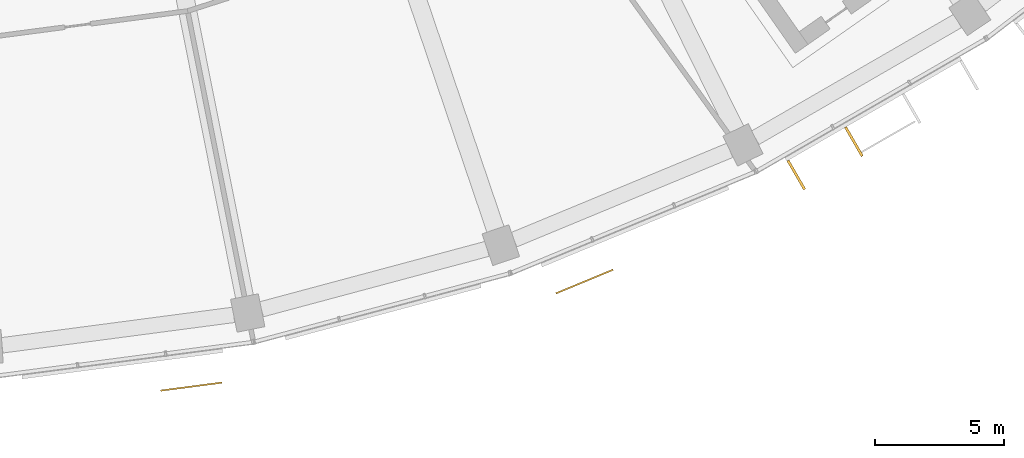
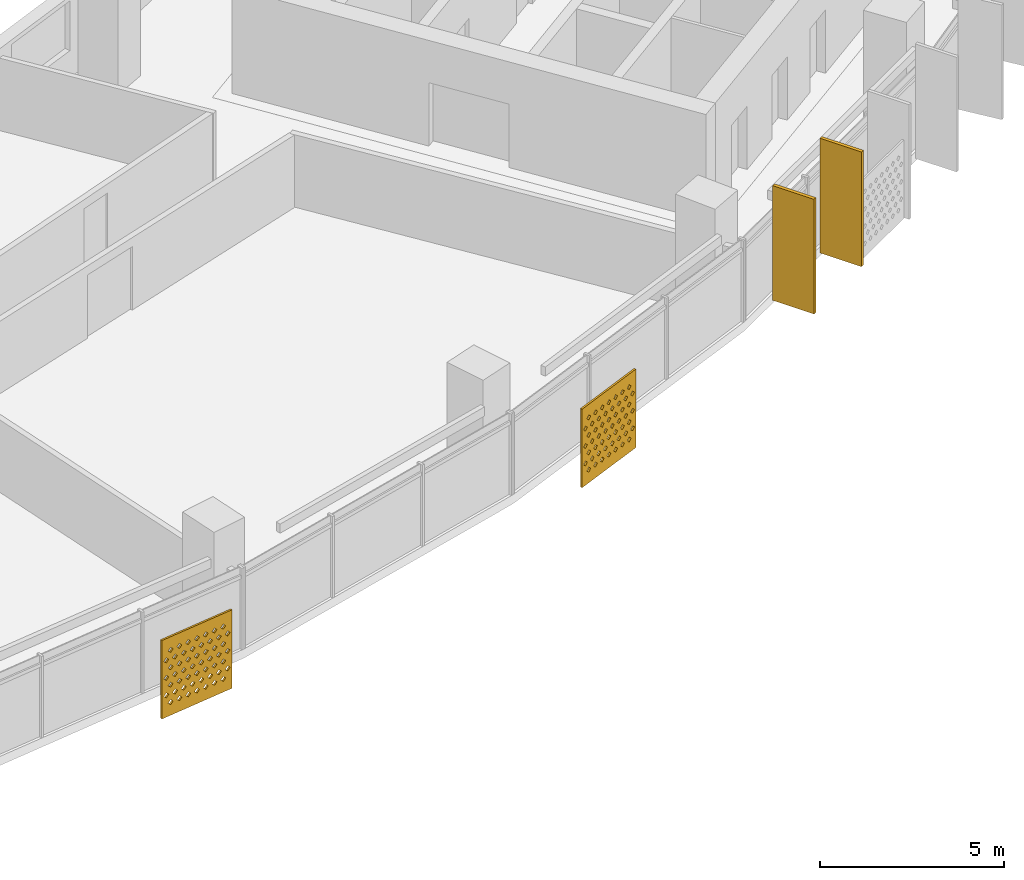
# One storey, part 24 of 26: 4 shading devices.
"""IFC4 building model written with IfcOpenShell, lengths in metres."""

from ifc_helpers import new_model, si_unit, direction, frame, origin, origin_2d, place, context, subcontext, project, spatial, polyline, rectangle, outline, extrude, material, material_profile, profile_set, type_object, element, save


model = new_model("IFC4")

# Units and contexts
model_context = context("Model", 3, precision=1e-05, world=origin(), true_north=direction((0.0, 1.0)))
body_context = subcontext(model_context, "Body", "Model", "MODEL_VIEW")
ifc_project = project(units=[si_unit("LENGTHUNIT", "METRE"), si_unit("AREAUNIT", "SQUARE_METRE"), si_unit("VOLUMEUNIT", "CUBIC_METRE"), si_unit("PLANEANGLEUNIT", "RADIAN"), si_unit("MASSUNIT", "GRAM", prefix="KILO")], contexts=[model_context])

# Site, building, storey
site_placement = place(None, origin())
site = spatial("IfcSite", under=ifc_project, at=site_placement, CompositionType="ELEMENT")
building_placement = place(site_placement, origin())
building = spatial("IfcBuilding", under=site, at=building_placement, Name="Qamariyya Broadcast Tower", CompositionType="ELEMENT")
storey_placement = place(building_placement, frame((0.0, 0.0, 168.300048828125)))
storey = spatial("IfcBuildingStorey", under=building, at=storey_placement, Name="L39", CompositionType="ELEMENT", Elevation=168.300048828125)

# Shading devices
ifc_material_1 = material(Name="Perforated glazed terracotta", Category="masonry")
ifc_material_profile_1 = material_profile(ifc_material_1, outline(polyline([(-1.199951171875, -1.300048828125), (1.199951171875, -1.300048828125), (1.199951171875, 1.300048828125), (-1.199951171875, 1.300048828125), (-1.199951171875, -1.300048828125)]), holes=[polyline([(-0.81494140625, -0.86669921875), (-0.89990234375, -0.78173828125), (-0.985107421875, -0.86669921875), (-0.89990234375, -0.95166015625), (-0.81494140625, -0.86669921875)]), polyline([(-0.514892578125, -0.86669921875), (-0.60009765625, -0.78173828125), (-0.68505859375, -0.86669921875), (-0.60009765625, -0.95166015625), (-0.514892578125, -0.86669921875)]), polyline([(-0.215087890625, -0.86669921875), (-0.300048828125, -0.78173828125), (-0.385009765625, -0.86669921875), (-0.300048828125, -0.95166015625), (-0.215087890625, -0.86669921875)]), polyline([(0.0849609375, -0.86669921875), (0.0, -0.78173828125), (-0.0849609375, -0.86669921875), (0.0, -0.95166015625), (0.0849609375, -0.86669921875)]), polyline([(0.385009765625, -0.86669921875), (0.300048828125, -0.78173828125), (0.215087890625, -0.86669921875), (0.300048828125, -0.95166015625), (0.385009765625, -0.86669921875)]), polyline([(0.68505859375, -0.86669921875), (0.60009765625, -0.78173828125), (0.514892578125, -0.86669921875), (0.60009765625, -0.95166015625), (0.68505859375, -0.86669921875)]), polyline([(0.985107421875, -0.86669921875), (0.89990234375, -0.78173828125), (0.81494140625, -0.86669921875), (0.89990234375, -0.95166015625), (0.985107421875, -0.86669921875)]), polyline([(-0.965087890625, -0.577880859375), (-1.050048828125, -0.49267578125), (-1.135009765625, -0.577880859375), (-1.050048828125, -0.662841796875), (-0.965087890625, -0.577880859375)]), polyline([(-0.6650390625, -0.577880859375), (-0.75, -0.49267578125), (-0.8349609375, -0.577880859375), (-0.75, -0.662841796875), (-0.6650390625, -0.577880859375)]), polyline([(-0.364990234375, -0.577880859375), (-0.449951171875, -0.49267578125), (-0.534912109375, -0.577880859375), (-0.449951171875, -0.662841796875), (-0.364990234375, -0.577880859375)]), polyline([(-0.06494140625, -0.577880859375), (-0.14990234375, -0.49267578125), (-0.235107421875, -0.577880859375), (-0.14990234375, -0.662841796875), (-0.06494140625, -0.577880859375)]), polyline([(0.235107421875, -0.577880859375), (0.14990234375, -0.49267578125), (0.06494140625, -0.577880859375), (0.14990234375, -0.662841796875), (0.235107421875, -0.577880859375)]), polyline([(0.534912109375, -0.577880859375), (0.449951171875, -0.49267578125), (0.364990234375, -0.577880859375), (0.449951171875, -0.662841796875), (0.534912109375, -0.577880859375)]), polyline([(0.8349609375, -0.577880859375), (0.75, -0.49267578125), (0.6650390625, -0.577880859375), (0.75, -0.662841796875), (0.8349609375, -0.577880859375)]), polyline([(1.135009765625, -0.577880859375), (1.050048828125, -0.49267578125), (0.965087890625, -0.577880859375), (1.050048828125, -0.662841796875), (1.135009765625, -0.577880859375)]), polyline([(-0.81494140625, -0.288818359375), (-0.89990234375, -0.203857421875), (-0.985107421875, -0.288818359375), (-0.89990234375, -0.373779296875), (-0.81494140625, -0.288818359375)]), polyline([(-0.514892578125, -0.288818359375), (-0.60009765625, -0.203857421875), (-0.68505859375, -0.288818359375), (-0.60009765625, -0.373779296875), (-0.514892578125, -0.288818359375)]), polyline([(-0.215087890625, -0.288818359375), (-0.300048828125, -0.203857421875), (-0.385009765625, -0.288818359375), (-0.300048828125, -0.373779296875), (-0.215087890625, -0.288818359375)]), polyline([(0.0849609375, -0.288818359375), (0.0, -0.203857421875), (-0.0849609375, -0.288818359375), (0.0, -0.373779296875), (0.0849609375, -0.288818359375)]), polyline([(0.385009765625, -0.288818359375), (0.300048828125, -0.203857421875), (0.215087890625, -0.288818359375), (0.300048828125, -0.373779296875), (0.385009765625, -0.288818359375)]), polyline([(0.68505859375, -0.288818359375), (0.60009765625, -0.203857421875), (0.514892578125, -0.288818359375), (0.60009765625, -0.373779296875), (0.68505859375, -0.288818359375)]), polyline([(0.985107421875, -0.288818359375), (0.89990234375, -0.203857421875), (0.81494140625, -0.288818359375), (0.89990234375, -0.373779296875), (0.985107421875, -0.288818359375)]), polyline([(-0.965087890625, 0.0), (-1.050048828125, 0.0849609375), (-1.135009765625, 0.0), (-1.050048828125, -0.0849609375), (-0.965087890625, 0.0)]), polyline([(-0.6650390625, 0.0), (-0.75, 0.0849609375), (-0.8349609375, 0.0), (-0.75, -0.0849609375), (-0.6650390625, 0.0)]), polyline([(-0.364990234375, 0.0), (-0.449951171875, 0.0849609375), (-0.534912109375, 0.0), (-0.449951171875, -0.0849609375), (-0.364990234375, 0.0)]), polyline([(-0.06494140625, 0.0), (-0.14990234375, 0.0849609375), (-0.235107421875, 0.0), (-0.14990234375, -0.0849609375), (-0.06494140625, 0.0)]), polyline([(0.235107421875, 0.0), (0.14990234375, 0.0849609375), (0.06494140625, 0.0), (0.14990234375, -0.0849609375), (0.235107421875, 0.0)]), polyline([(0.534912109375, 0.0), (0.449951171875, 0.0849609375), (0.364990234375, 0.0), (0.449951171875, -0.0849609375), (0.534912109375, 0.0)]), polyline([(0.8349609375, 0.0), (0.75, 0.0849609375), (0.6650390625, 0.0), (0.75, -0.0849609375), (0.8349609375, 0.0)]), polyline([(1.135009765625, 0.0), (1.050048828125, 0.0849609375), (0.965087890625, 0.0), (1.050048828125, -0.0849609375), (1.135009765625, 0.0)]), polyline([(-0.81494140625, 0.288818359375), (-0.89990234375, 0.373779296875), (-0.985107421875, 0.288818359375), (-0.89990234375, 0.203857421875), (-0.81494140625, 0.288818359375)]), polyline([(-0.514892578125, 0.288818359375), (-0.60009765625, 0.373779296875), (-0.68505859375, 0.288818359375), (-0.60009765625, 0.203857421875), (-0.514892578125, 0.288818359375)]), polyline([(-0.215087890625, 0.288818359375), (-0.300048828125, 0.373779296875), (-0.385009765625, 0.288818359375), (-0.300048828125, 0.203857421875), (-0.215087890625, 0.288818359375)]), polyline([(0.0849609375, 0.288818359375), (0.0, 0.373779296875), (-0.0849609375, 0.288818359375), (0.0, 0.203857421875), (0.0849609375, 0.288818359375)]), polyline([(0.385009765625, 0.288818359375), (0.300048828125, 0.373779296875), (0.215087890625, 0.288818359375), (0.300048828125, 0.203857421875), (0.385009765625, 0.288818359375)]), polyline([(0.68505859375, 0.288818359375), (0.60009765625, 0.373779296875), (0.514892578125, 0.288818359375), (0.60009765625, 0.203857421875), (0.68505859375, 0.288818359375)]), polyline([(0.985107421875, 0.288818359375), (0.89990234375, 0.373779296875), (0.81494140625, 0.288818359375), (0.89990234375, 0.203857421875), (0.985107421875, 0.288818359375)]), polyline([(-0.965087890625, 0.577880859375), (-1.050048828125, 0.662841796875), (-1.135009765625, 0.577880859375), (-1.050048828125, 0.49267578125), (-0.965087890625, 0.577880859375)]), polyline([(-0.6650390625, 0.577880859375), (-0.75, 0.662841796875), (-0.8349609375, 0.577880859375), (-0.75, 0.49267578125), (-0.6650390625, 0.577880859375)]), polyline([(-0.364990234375, 0.577880859375), (-0.449951171875, 0.662841796875), (-0.534912109375, 0.577880859375), (-0.449951171875, 0.49267578125), (-0.364990234375, 0.577880859375)]), polyline([(-0.06494140625, 0.577880859375), (-0.14990234375, 0.662841796875), (-0.235107421875, 0.577880859375), (-0.14990234375, 0.49267578125), (-0.06494140625, 0.577880859375)]), polyline([(0.235107421875, 0.577880859375), (0.14990234375, 0.662841796875), (0.06494140625, 0.577880859375), (0.14990234375, 0.49267578125), (0.235107421875, 0.577880859375)]), polyline([(0.534912109375, 0.577880859375), (0.449951171875, 0.662841796875), (0.364990234375, 0.577880859375), (0.449951171875, 0.49267578125), (0.534912109375, 0.577880859375)]), polyline([(0.8349609375, 0.577880859375), (0.75, 0.662841796875), (0.6650390625, 0.577880859375), (0.75, 0.49267578125), (0.8349609375, 0.577880859375)]), polyline([(1.135009765625, 0.577880859375), (1.050048828125, 0.662841796875), (0.965087890625, 0.577880859375), (1.050048828125, 0.49267578125), (1.135009765625, 0.577880859375)]), polyline([(-0.81494140625, 0.86669921875), (-0.89990234375, 0.95166015625), (-0.985107421875, 0.86669921875), (-0.89990234375, 0.78173828125), (-0.81494140625, 0.86669921875)]), polyline([(-0.514892578125, 0.86669921875), (-0.60009765625, 0.95166015625), (-0.68505859375, 0.86669921875), (-0.60009765625, 0.78173828125), (-0.514892578125, 0.86669921875)]), polyline([(-0.215087890625, 0.86669921875), (-0.300048828125, 0.95166015625), (-0.385009765625, 0.86669921875), (-0.300048828125, 0.78173828125), (-0.215087890625, 0.86669921875)]), polyline([(0.0849609375, 0.86669921875), (0.0, 0.95166015625), (-0.0849609375, 0.86669921875), (0.0, 0.78173828125), (0.0849609375, 0.86669921875)]), polyline([(0.385009765625, 0.86669921875), (0.300048828125, 0.95166015625), (0.215087890625, 0.86669921875), (0.300048828125, 0.78173828125), (0.385009765625, 0.86669921875)]), polyline([(0.68505859375, 0.86669921875), (0.60009765625, 0.95166015625), (0.514892578125, 0.86669921875), (0.60009765625, 0.78173828125), (0.68505859375, 0.86669921875)]), polyline([(0.985107421875, 0.86669921875), (0.89990234375, 0.95166015625), (0.81494140625, 0.86669921875), (0.89990234375, 0.78173828125), (0.985107421875, 0.86669921875)])]))
ifc_profile_set_1 = profile_set([ifc_material_profile_1], Name="Perforated glazed terracotta")
shading_device_type_1 = type_object("IfcShadingDeviceType", Name="Perforated terracotta screen 2400 x 2600", PredefinedType="USERDEFINED", material=ifc_profile_set_1)
shading_device_1_placement = place(storey_placement, frame((12.975341796875, -79.083740234375, 1.349853515625), z_axis=(0.1300340368, -0.991509530601, 0.0), x_axis=(0.991509530601, 0.1300340368, 0.0)))
element("IfcShadingDevice", 1, at=shading_device_1_placement, inside=storey, type_object=shading_device_type_1, Name="e-scr-L39-08-2", ObjectType="SCREEN", PredefinedType="USERDEFINED", context=body_context, shape_type="SweptSolid", body=[
    extrude(outline(polyline([(-1.199951171875, -1.300048828125), (1.199951171875, -1.300048828125), (1.199951171875, 1.300048828125), (-1.199951171875, 1.300048828125), (-1.199951171875, -1.300048828125)]), holes=[polyline([(-0.81494140625, -0.86669921875), (-0.89990234375, -0.78173828125), (-0.985107421875, -0.86669921875), (-0.89990234375, -0.95166015625), (-0.81494140625, -0.86669921875)]), polyline([(-0.514892578125, -0.86669921875), (-0.60009765625, -0.78173828125), (-0.68505859375, -0.86669921875), (-0.60009765625, -0.95166015625), (-0.514892578125, -0.86669921875)]), polyline([(-0.215087890625, -0.86669921875), (-0.300048828125, -0.78173828125), (-0.385009765625, -0.86669921875), (-0.300048828125, -0.95166015625), (-0.215087890625, -0.86669921875)]), polyline([(0.0849609375, -0.86669921875), (0.0, -0.78173828125), (-0.0849609375, -0.86669921875), (0.0, -0.95166015625), (0.0849609375, -0.86669921875)]), polyline([(0.385009765625, -0.86669921875), (0.300048828125, -0.78173828125), (0.215087890625, -0.86669921875), (0.300048828125, -0.95166015625), (0.385009765625, -0.86669921875)]), polyline([(0.68505859375, -0.86669921875), (0.60009765625, -0.78173828125), (0.514892578125, -0.86669921875), (0.60009765625, -0.95166015625), (0.68505859375, -0.86669921875)]), polyline([(0.985107421875, -0.86669921875), (0.89990234375, -0.78173828125), (0.81494140625, -0.86669921875), (0.89990234375, -0.95166015625), (0.985107421875, -0.86669921875)]), polyline([(-0.965087890625, -0.577880859375), (-1.050048828125, -0.49267578125), (-1.135009765625, -0.577880859375), (-1.050048828125, -0.662841796875), (-0.965087890625, -0.577880859375)]), polyline([(-0.6650390625, -0.577880859375), (-0.75, -0.49267578125), (-0.8349609375, -0.577880859375), (-0.75, -0.662841796875), (-0.6650390625, -0.577880859375)]), polyline([(-0.364990234375, -0.577880859375), (-0.449951171875, -0.49267578125), (-0.534912109375, -0.577880859375), (-0.449951171875, -0.662841796875), (-0.364990234375, -0.577880859375)]), polyline([(-0.06494140625, -0.577880859375), (-0.14990234375, -0.49267578125), (-0.235107421875, -0.577880859375), (-0.14990234375, -0.662841796875), (-0.06494140625, -0.577880859375)]), polyline([(0.235107421875, -0.577880859375), (0.14990234375, -0.49267578125), (0.06494140625, -0.577880859375), (0.14990234375, -0.662841796875), (0.235107421875, -0.577880859375)]), polyline([(0.534912109375, -0.577880859375), (0.449951171875, -0.49267578125), (0.364990234375, -0.577880859375), (0.449951171875, -0.662841796875), (0.534912109375, -0.577880859375)]), polyline([(0.8349609375, -0.577880859375), (0.75, -0.49267578125), (0.6650390625, -0.577880859375), (0.75, -0.662841796875), (0.8349609375, -0.577880859375)]), polyline([(1.135009765625, -0.577880859375), (1.050048828125, -0.49267578125), (0.965087890625, -0.577880859375), (1.050048828125, -0.662841796875), (1.135009765625, -0.577880859375)]), polyline([(-0.81494140625, -0.288818359375), (-0.89990234375, -0.203857421875), (-0.985107421875, -0.288818359375), (-0.89990234375, -0.373779296875), (-0.81494140625, -0.288818359375)]), polyline([(-0.514892578125, -0.288818359375), (-0.60009765625, -0.203857421875), (-0.68505859375, -0.288818359375), (-0.60009765625, -0.373779296875), (-0.514892578125, -0.288818359375)]), polyline([(-0.215087890625, -0.288818359375), (-0.300048828125, -0.203857421875), (-0.385009765625, -0.288818359375), (-0.300048828125, -0.373779296875), (-0.215087890625, -0.288818359375)]), polyline([(0.0849609375, -0.288818359375), (0.0, -0.203857421875), (-0.0849609375, -0.288818359375), (0.0, -0.373779296875), (0.0849609375, -0.288818359375)]), polyline([(0.385009765625, -0.288818359375), (0.300048828125, -0.203857421875), (0.215087890625, -0.288818359375), (0.300048828125, -0.373779296875), (0.385009765625, -0.288818359375)]), polyline([(0.68505859375, -0.288818359375), (0.60009765625, -0.203857421875), (0.514892578125, -0.288818359375), (0.60009765625, -0.373779296875), (0.68505859375, -0.288818359375)]), polyline([(0.985107421875, -0.288818359375), (0.89990234375, -0.203857421875), (0.81494140625, -0.288818359375), (0.89990234375, -0.373779296875), (0.985107421875, -0.288818359375)]), polyline([(-0.965087890625, 0.0), (-1.050048828125, 0.0849609375), (-1.135009765625, 0.0), (-1.050048828125, -0.0849609375), (-0.965087890625, 0.0)]), polyline([(-0.6650390625, 0.0), (-0.75, 0.0849609375), (-0.8349609375, 0.0), (-0.75, -0.0849609375), (-0.6650390625, 0.0)]), polyline([(-0.364990234375, 0.0), (-0.449951171875, 0.0849609375), (-0.534912109375, 0.0), (-0.449951171875, -0.0849609375), (-0.364990234375, 0.0)]), polyline([(-0.06494140625, 0.0), (-0.14990234375, 0.0849609375), (-0.235107421875, 0.0), (-0.14990234375, -0.0849609375), (-0.06494140625, 0.0)]), polyline([(0.235107421875, 0.0), (0.14990234375, 0.0849609375), (0.06494140625, 0.0), (0.14990234375, -0.0849609375), (0.235107421875, 0.0)]), polyline([(0.534912109375, 0.0), (0.449951171875, 0.0849609375), (0.364990234375, 0.0), (0.449951171875, -0.0849609375), (0.534912109375, 0.0)]), polyline([(0.8349609375, 0.0), (0.75, 0.0849609375), (0.6650390625, 0.0), (0.75, -0.0849609375), (0.8349609375, 0.0)]), polyline([(1.135009765625, 0.0), (1.050048828125, 0.0849609375), (0.965087890625, 0.0), (1.050048828125, -0.0849609375), (1.135009765625, 0.0)]), polyline([(-0.81494140625, 0.288818359375), (-0.89990234375, 0.373779296875), (-0.985107421875, 0.288818359375), (-0.89990234375, 0.203857421875), (-0.81494140625, 0.288818359375)]), polyline([(-0.514892578125, 0.288818359375), (-0.60009765625, 0.373779296875), (-0.68505859375, 0.288818359375), (-0.60009765625, 0.203857421875), (-0.514892578125, 0.288818359375)]), polyline([(-0.215087890625, 0.288818359375), (-0.300048828125, 0.373779296875), (-0.385009765625, 0.288818359375), (-0.300048828125, 0.203857421875), (-0.215087890625, 0.288818359375)]), polyline([(0.0849609375, 0.288818359375), (0.0, 0.373779296875), (-0.0849609375, 0.288818359375), (0.0, 0.203857421875), (0.0849609375, 0.288818359375)]), polyline([(0.385009765625, 0.288818359375), (0.300048828125, 0.373779296875), (0.215087890625, 0.288818359375), (0.300048828125, 0.203857421875), (0.385009765625, 0.288818359375)]), polyline([(0.68505859375, 0.288818359375), (0.60009765625, 0.373779296875), (0.514892578125, 0.288818359375), (0.60009765625, 0.203857421875), (0.68505859375, 0.288818359375)]), polyline([(0.985107421875, 0.288818359375), (0.89990234375, 0.373779296875), (0.81494140625, 0.288818359375), (0.89990234375, 0.203857421875), (0.985107421875, 0.288818359375)]), polyline([(-0.965087890625, 0.577880859375), (-1.050048828125, 0.662841796875), (-1.135009765625, 0.577880859375), (-1.050048828125, 0.49267578125), (-0.965087890625, 0.577880859375)]), polyline([(-0.6650390625, 0.577880859375), (-0.75, 0.662841796875), (-0.8349609375, 0.577880859375), (-0.75, 0.49267578125), (-0.6650390625, 0.577880859375)]), polyline([(-0.364990234375, 0.577880859375), (-0.449951171875, 0.662841796875), (-0.534912109375, 0.577880859375), (-0.449951171875, 0.49267578125), (-0.364990234375, 0.577880859375)]), polyline([(-0.06494140625, 0.577880859375), (-0.14990234375, 0.662841796875), (-0.235107421875, 0.577880859375), (-0.14990234375, 0.49267578125), (-0.06494140625, 0.577880859375)]), polyline([(0.235107421875, 0.577880859375), (0.14990234375, 0.662841796875), (0.06494140625, 0.577880859375), (0.14990234375, 0.49267578125), (0.235107421875, 0.577880859375)]), polyline([(0.534912109375, 0.577880859375), (0.449951171875, 0.662841796875), (0.364990234375, 0.577880859375), (0.449951171875, 0.49267578125), (0.534912109375, 0.577880859375)]), polyline([(0.8349609375, 0.577880859375), (0.75, 0.662841796875), (0.6650390625, 0.577880859375), (0.75, 0.49267578125), (0.8349609375, 0.577880859375)]), polyline([(1.135009765625, 0.577880859375), (1.050048828125, 0.662841796875), (0.965087890625, 0.577880859375), (1.050048828125, 0.49267578125), (1.135009765625, 0.577880859375)]), polyline([(-0.81494140625, 0.86669921875), (-0.89990234375, 0.95166015625), (-0.985107421875, 0.86669921875), (-0.89990234375, 0.78173828125), (-0.81494140625, 0.86669921875)]), polyline([(-0.514892578125, 0.86669921875), (-0.60009765625, 0.95166015625), (-0.68505859375, 0.86669921875), (-0.60009765625, 0.78173828125), (-0.514892578125, 0.86669921875)]), polyline([(-0.215087890625, 0.86669921875), (-0.300048828125, 0.95166015625), (-0.385009765625, 0.86669921875), (-0.300048828125, 0.78173828125), (-0.215087890625, 0.86669921875)]), polyline([(0.0849609375, 0.86669921875), (0.0, 0.95166015625), (-0.0849609375, 0.86669921875), (0.0, 0.78173828125), (0.0849609375, 0.86669921875)]), polyline([(0.385009765625, 0.86669921875), (0.300048828125, 0.95166015625), (0.215087890625, 0.86669921875), (0.300048828125, 0.78173828125), (0.385009765625, 0.86669921875)]), polyline([(0.68505859375, 0.86669921875), (0.60009765625, 0.95166015625), (0.514892578125, 0.86669921875), (0.60009765625, 0.78173828125), (0.68505859375, 0.86669921875)]), polyline([(0.985107421875, 0.86669921875), (0.89990234375, 0.95166015625), (0.81494140625, 0.86669921875), (0.89990234375, 0.78173828125), (0.985107421875, 0.86669921875)])]), origin(), (0.0, 0.0, 1.0), 0.06005859375),
])
shading_device_2_placement = place(storey_placement, frame((28.22802734375, -75.008056640625, 1.349853515625), z_axis=(0.382591441855, -0.923917630863, 0.0), x_axis=(0.923917630863, 0.382591441855, 0.0)))
element("IfcShadingDevice", 2, at=shading_device_2_placement, inside=storey, type_object=shading_device_type_1, Name="e-scr-L39-10-0", ObjectType="SCREEN", PredefinedType="USERDEFINED", context=body_context, shape_type="SweptSolid", body=[
    extrude(outline(polyline([(-1.199951171875, -1.300048828125), (1.199951171875, -1.300048828125), (1.199951171875, 1.300048828125), (-1.199951171875, 1.300048828125), (-1.199951171875, -1.300048828125)]), holes=[polyline([(-0.81494140625, -0.86669921875), (-0.89990234375, -0.78173828125), (-0.985107421875, -0.86669921875), (-0.89990234375, -0.95166015625), (-0.81494140625, -0.86669921875)]), polyline([(-0.514892578125, -0.86669921875), (-0.60009765625, -0.78173828125), (-0.68505859375, -0.86669921875), (-0.60009765625, -0.95166015625), (-0.514892578125, -0.86669921875)]), polyline([(-0.215087890625, -0.86669921875), (-0.300048828125, -0.78173828125), (-0.385009765625, -0.86669921875), (-0.300048828125, -0.95166015625), (-0.215087890625, -0.86669921875)]), polyline([(0.0849609375, -0.86669921875), (0.0, -0.78173828125), (-0.0849609375, -0.86669921875), (0.0, -0.95166015625), (0.0849609375, -0.86669921875)]), polyline([(0.385009765625, -0.86669921875), (0.300048828125, -0.78173828125), (0.215087890625, -0.86669921875), (0.300048828125, -0.95166015625), (0.385009765625, -0.86669921875)]), polyline([(0.68505859375, -0.86669921875), (0.60009765625, -0.78173828125), (0.514892578125, -0.86669921875), (0.60009765625, -0.95166015625), (0.68505859375, -0.86669921875)]), polyline([(0.985107421875, -0.86669921875), (0.89990234375, -0.78173828125), (0.81494140625, -0.86669921875), (0.89990234375, -0.95166015625), (0.985107421875, -0.86669921875)]), polyline([(-0.965087890625, -0.577880859375), (-1.050048828125, -0.49267578125), (-1.135009765625, -0.577880859375), (-1.050048828125, -0.662841796875), (-0.965087890625, -0.577880859375)]), polyline([(-0.6650390625, -0.577880859375), (-0.75, -0.49267578125), (-0.8349609375, -0.577880859375), (-0.75, -0.662841796875), (-0.6650390625, -0.577880859375)]), polyline([(-0.364990234375, -0.577880859375), (-0.449951171875, -0.49267578125), (-0.534912109375, -0.577880859375), (-0.449951171875, -0.662841796875), (-0.364990234375, -0.577880859375)]), polyline([(-0.06494140625, -0.577880859375), (-0.14990234375, -0.49267578125), (-0.235107421875, -0.577880859375), (-0.14990234375, -0.662841796875), (-0.06494140625, -0.577880859375)]), polyline([(0.235107421875, -0.577880859375), (0.14990234375, -0.49267578125), (0.06494140625, -0.577880859375), (0.14990234375, -0.662841796875), (0.235107421875, -0.577880859375)]), polyline([(0.534912109375, -0.577880859375), (0.449951171875, -0.49267578125), (0.364990234375, -0.577880859375), (0.449951171875, -0.662841796875), (0.534912109375, -0.577880859375)]), polyline([(0.8349609375, -0.577880859375), (0.75, -0.49267578125), (0.6650390625, -0.577880859375), (0.75, -0.662841796875), (0.8349609375, -0.577880859375)]), polyline([(1.135009765625, -0.577880859375), (1.050048828125, -0.49267578125), (0.965087890625, -0.577880859375), (1.050048828125, -0.662841796875), (1.135009765625, -0.577880859375)]), polyline([(-0.81494140625, -0.288818359375), (-0.89990234375, -0.203857421875), (-0.985107421875, -0.288818359375), (-0.89990234375, -0.373779296875), (-0.81494140625, -0.288818359375)]), polyline([(-0.514892578125, -0.288818359375), (-0.60009765625, -0.203857421875), (-0.68505859375, -0.288818359375), (-0.60009765625, -0.373779296875), (-0.514892578125, -0.288818359375)]), polyline([(-0.215087890625, -0.288818359375), (-0.300048828125, -0.203857421875), (-0.385009765625, -0.288818359375), (-0.300048828125, -0.373779296875), (-0.215087890625, -0.288818359375)]), polyline([(0.0849609375, -0.288818359375), (0.0, -0.203857421875), (-0.0849609375, -0.288818359375), (0.0, -0.373779296875), (0.0849609375, -0.288818359375)]), polyline([(0.385009765625, -0.288818359375), (0.300048828125, -0.203857421875), (0.215087890625, -0.288818359375), (0.300048828125, -0.373779296875), (0.385009765625, -0.288818359375)]), polyline([(0.68505859375, -0.288818359375), (0.60009765625, -0.203857421875), (0.514892578125, -0.288818359375), (0.60009765625, -0.373779296875), (0.68505859375, -0.288818359375)]), polyline([(0.985107421875, -0.288818359375), (0.89990234375, -0.203857421875), (0.81494140625, -0.288818359375), (0.89990234375, -0.373779296875), (0.985107421875, -0.288818359375)]), polyline([(-0.965087890625, 0.0), (-1.050048828125, 0.0849609375), (-1.135009765625, 0.0), (-1.050048828125, -0.0849609375), (-0.965087890625, 0.0)]), polyline([(-0.6650390625, 0.0), (-0.75, 0.0849609375), (-0.8349609375, 0.0), (-0.75, -0.0849609375), (-0.6650390625, 0.0)]), polyline([(-0.364990234375, 0.0), (-0.449951171875, 0.0849609375), (-0.534912109375, 0.0), (-0.449951171875, -0.0849609375), (-0.364990234375, 0.0)]), polyline([(-0.06494140625, 0.0), (-0.14990234375, 0.0849609375), (-0.235107421875, 0.0), (-0.14990234375, -0.0849609375), (-0.06494140625, 0.0)]), polyline([(0.235107421875, 0.0), (0.14990234375, 0.0849609375), (0.06494140625, 0.0), (0.14990234375, -0.0849609375), (0.235107421875, 0.0)]), polyline([(0.534912109375, 0.0), (0.449951171875, 0.0849609375), (0.364990234375, 0.0), (0.449951171875, -0.0849609375), (0.534912109375, 0.0)]), polyline([(0.8349609375, 0.0), (0.75, 0.0849609375), (0.6650390625, 0.0), (0.75, -0.0849609375), (0.8349609375, 0.0)]), polyline([(1.135009765625, 0.0), (1.050048828125, 0.0849609375), (0.965087890625, 0.0), (1.050048828125, -0.0849609375), (1.135009765625, 0.0)]), polyline([(-0.81494140625, 0.288818359375), (-0.89990234375, 0.373779296875), (-0.985107421875, 0.288818359375), (-0.89990234375, 0.203857421875), (-0.81494140625, 0.288818359375)]), polyline([(-0.514892578125, 0.288818359375), (-0.60009765625, 0.373779296875), (-0.68505859375, 0.288818359375), (-0.60009765625, 0.203857421875), (-0.514892578125, 0.288818359375)]), polyline([(-0.215087890625, 0.288818359375), (-0.300048828125, 0.373779296875), (-0.385009765625, 0.288818359375), (-0.300048828125, 0.203857421875), (-0.215087890625, 0.288818359375)]), polyline([(0.0849609375, 0.288818359375), (0.0, 0.373779296875), (-0.0849609375, 0.288818359375), (0.0, 0.203857421875), (0.0849609375, 0.288818359375)]), polyline([(0.385009765625, 0.288818359375), (0.300048828125, 0.373779296875), (0.215087890625, 0.288818359375), (0.300048828125, 0.203857421875), (0.385009765625, 0.288818359375)]), polyline([(0.68505859375, 0.288818359375), (0.60009765625, 0.373779296875), (0.514892578125, 0.288818359375), (0.60009765625, 0.203857421875), (0.68505859375, 0.288818359375)]), polyline([(0.985107421875, 0.288818359375), (0.89990234375, 0.373779296875), (0.81494140625, 0.288818359375), (0.89990234375, 0.203857421875), (0.985107421875, 0.288818359375)]), polyline([(-0.965087890625, 0.577880859375), (-1.050048828125, 0.662841796875), (-1.135009765625, 0.577880859375), (-1.050048828125, 0.49267578125), (-0.965087890625, 0.577880859375)]), polyline([(-0.6650390625, 0.577880859375), (-0.75, 0.662841796875), (-0.8349609375, 0.577880859375), (-0.75, 0.49267578125), (-0.6650390625, 0.577880859375)]), polyline([(-0.364990234375, 0.577880859375), (-0.449951171875, 0.662841796875), (-0.534912109375, 0.577880859375), (-0.449951171875, 0.49267578125), (-0.364990234375, 0.577880859375)]), polyline([(-0.06494140625, 0.577880859375), (-0.14990234375, 0.662841796875), (-0.235107421875, 0.577880859375), (-0.14990234375, 0.49267578125), (-0.06494140625, 0.577880859375)]), polyline([(0.235107421875, 0.577880859375), (0.14990234375, 0.662841796875), (0.06494140625, 0.577880859375), (0.14990234375, 0.49267578125), (0.235107421875, 0.577880859375)]), polyline([(0.534912109375, 0.577880859375), (0.449951171875, 0.662841796875), (0.364990234375, 0.577880859375), (0.449951171875, 0.49267578125), (0.534912109375, 0.577880859375)]), polyline([(0.8349609375, 0.577880859375), (0.75, 0.662841796875), (0.6650390625, 0.577880859375), (0.75, 0.49267578125), (0.8349609375, 0.577880859375)]), polyline([(1.135009765625, 0.577880859375), (1.050048828125, 0.662841796875), (0.965087890625, 0.577880859375), (1.050048828125, 0.49267578125), (1.135009765625, 0.577880859375)]), polyline([(-0.81494140625, 0.86669921875), (-0.89990234375, 0.95166015625), (-0.985107421875, 0.86669921875), (-0.89990234375, 0.78173828125), (-0.81494140625, 0.86669921875)]), polyline([(-0.514892578125, 0.86669921875), (-0.60009765625, 0.95166015625), (-0.68505859375, 0.86669921875), (-0.60009765625, 0.78173828125), (-0.514892578125, 0.86669921875)]), polyline([(-0.215087890625, 0.86669921875), (-0.300048828125, 0.95166015625), (-0.385009765625, 0.86669921875), (-0.300048828125, 0.78173828125), (-0.215087890625, 0.86669921875)]), polyline([(0.0849609375, 0.86669921875), (0.0, 0.95166015625), (-0.0849609375, 0.86669921875), (0.0, 0.78173828125), (0.0849609375, 0.86669921875)]), polyline([(0.385009765625, 0.86669921875), (0.300048828125, 0.95166015625), (0.215087890625, 0.86669921875), (0.300048828125, 0.78173828125), (0.385009765625, 0.86669921875)]), polyline([(0.68505859375, 0.86669921875), (0.60009765625, 0.95166015625), (0.514892578125, 0.86669921875), (0.60009765625, 0.78173828125), (0.68505859375, 0.86669921875)]), polyline([(0.985107421875, 0.86669921875), (0.89990234375, 0.95166015625), (0.81494140625, 0.86669921875), (0.89990234375, 0.78173828125), (0.985107421875, 0.86669921875)])]), origin(), (0.0, 0.0, 1.0), 0.06005859375),
])
ifc_material_2 = material(Name="Glazed terracotta", Category="masonry")
ifc_material_profile_2 = material_profile(ifc_material_2, rectangle(XDim=1.300048828125, YDim=0.10009765625, at=origin_2d()))
ifc_profile_set_2 = profile_set([ifc_material_profile_2], Name="Glazed terracotta")
shading_device_type_2 = type_object("IfcShadingDeviceType", Name="Terracotta fin 100 x 1300", PredefinedType="USERDEFINED", material=ifc_profile_set_2)
for number, where, z_axis, x_axis, name in (
    (3, (36.45947265625, -70.89990234375, 0.0), (0.0, 0.0, 1.0), (0.5, -0.866025403784, 0.0), "e-fin-L39-11-0"),
    (4, (38.69677734375, -69.608154296875, 0.0), (0.0, 0.0, 1.0), (0.5, -0.866025403784, 0.0), "e-fin-L39-11-1"),
):
    element("IfcShadingDevice", number, at=place(storey_placement, frame(where, z_axis=z_axis, x_axis=x_axis)), inside=storey, type_object=shading_device_type_2, Name=name, ObjectType="FIN", PredefinedType="USERDEFINED", context=body_context, shape_type="SweptSolid", body=[
        extrude(rectangle(XDim=1.300048828125, YDim=0.10009765625, at=origin_2d()), origin(), (0.0, 0.0, 1.0), 3.800048828125),
    ])

save(model, "model.ifc")
